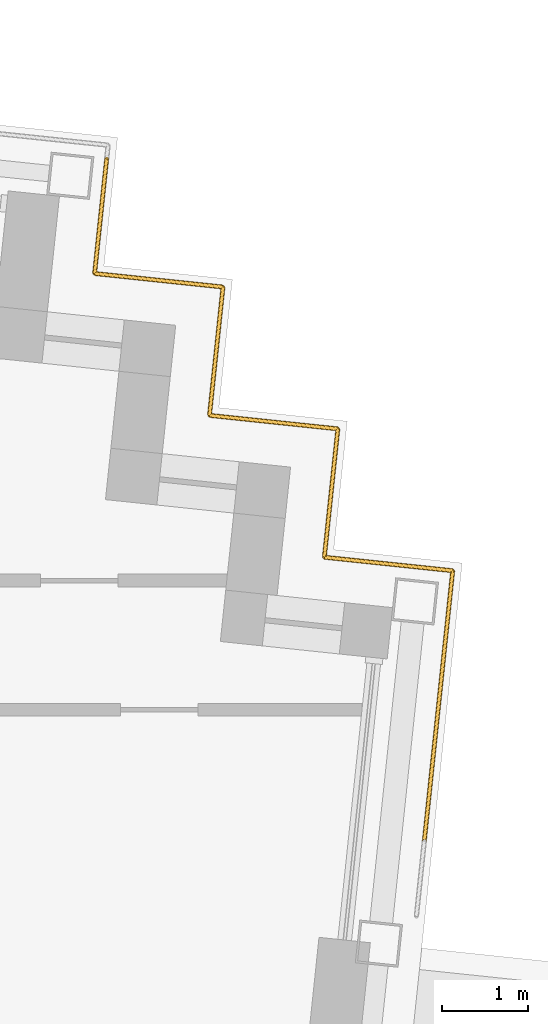
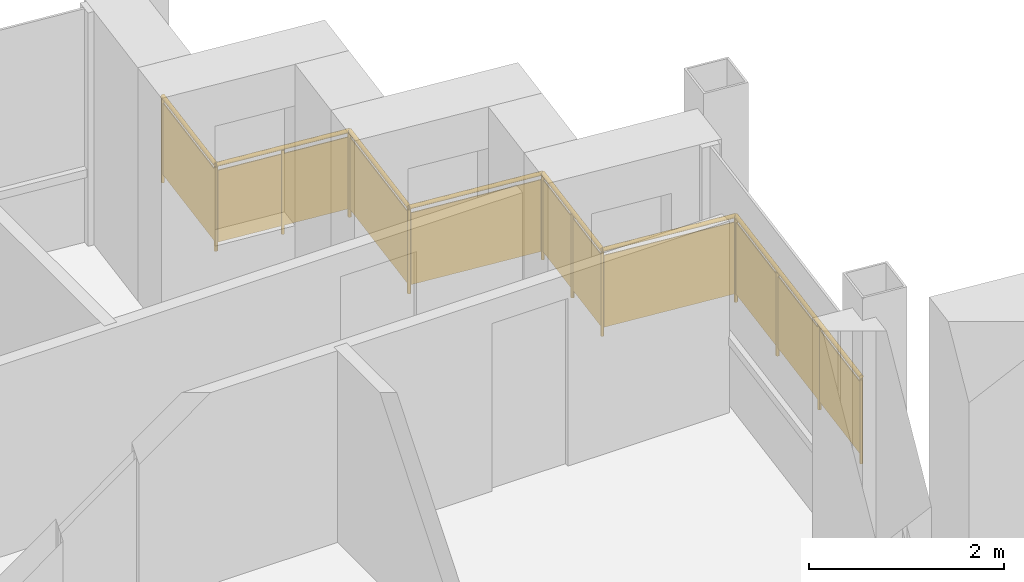
# One storey, part 17 of 17: 1 railing.
"""IFC4 building model written with IfcOpenShell, lengths in metres."""

from ifc_helpers import new_model, si_unit, direction, frame, origin, origin_2d, place, context, subcontext, project, spatial, rectangle, circle, extrude, material, type_object, element, save


model = new_model("IFC4")

# Units and contexts
model_context = context("Model", 3, precision=1e-05, world=origin(), true_north=direction((0.0, 1.0)))
body_context = subcontext(model_context, "Body", "Model", "MODEL_VIEW")
ifc_project = project(units=[si_unit("LENGTHUNIT", "METRE"), si_unit("AREAUNIT", "SQUARE_METRE"), si_unit("VOLUMEUNIT", "CUBIC_METRE"), si_unit("PLANEANGLEUNIT", "RADIAN"), si_unit("MASSUNIT", "GRAM", prefix="KILO")], contexts=[model_context])

# Site, building, storey
site_placement = place(None, origin())
site = spatial("IfcSite", under=ifc_project, at=site_placement, CompositionType="ELEMENT")
building_placement = place(site_placement, origin())
building = spatial("IfcBuilding", under=site, at=building_placement, Name="Vidyagriha Tower", CompositionType="ELEMENT")
storey_placement = place(building_placement, frame((0.0, 0.0, 262.699951171875)))
storey = spatial("IfcBuildingStorey", under=building, at=storey_placement, Name="L68", CompositionType="ELEMENT", Elevation=262.699951171875)

# Railing
ifc_material = material(Name="Steel ASTM A500 Grade C black painted", Category="steel")
railing_type = type_object("IfcRailingType", Name="Gallery guard 1100", PredefinedType="GUARDRAIL", material=ifc_material)
railing_placement = place(storey_placement, frame((29.24462890625, 18.54541015625, 0.0)))
element("IfcRailing", 1, at=railing_placement, inside=storey, type_object=railing_type, Name="Gallery guard L68 9", PredefinedType="GUARDRAIL", context=body_context, shape_type="SweptSolid", body=[
    extrude(circle(Radius=0.02490234375, at=origin_2d()), frame((0.0, 0.0, 1.0751953125), z_axis=(-0.104589933737, -0.994515432641, 0.0), x_axis=(0.994515432641, -0.104589933737, 0.0)), (0.0, 0.0, 1.0), 1.33984375),
    extrude(circle(Radius=0.02490234375, at=origin_2d()), frame((-0.14013671875, -1.33251953125, 1.0751953125), z_axis=(0.994509910675, -0.104642427191, 0.0), x_axis=(0.104642427191, 0.994509910675, 0.0)), (0.0, 0.0, 1.0), 1.500244140625),
    extrude(circle(Radius=0.02490234375, at=origin_2d()), frame((1.351806640625, -1.489501953125, 1.0751953125), z_axis=(-0.104498377516, -0.994525057048, 0.0), x_axis=(0.994525057048, -0.104498377516, 0.0)), (0.0, 0.0, 1.0), 1.5),
    extrude(circle(Radius=0.02490234375, at=origin_2d()), frame((1.195068359375, -2.981201171875, 1.0751953125), z_axis=(0.994525057048, -0.104498377516, 0.0), x_axis=(0.104498377516, 0.994525057048, 0.0)), (0.0, 0.0, 1.0), 1.5),
    extrude(circle(Radius=0.02490234375, at=origin_2d()), frame((2.686767578125, -3.137939453125, 1.0751953125), z_axis=(-0.104481464157, -0.994526834051, 0.0), x_axis=(0.994526834051, -0.104481464157, 0.0)), (0.0, 0.0, 1.0), 1.500244140625),
    extrude(circle(Radius=0.02490234375, at=origin_2d()), frame((2.530029296875, -4.6298828125, 1.0751953125), z_axis=(0.994525057048, -0.104498377516, 0.0), x_axis=(0.104498377516, 0.994525057048, 0.0)), (0.0, 0.0, 1.0), 1.5),
    extrude(circle(Radius=0.02490234375, at=origin_2d()), frame((4.021728515625, -4.78662109375, 1.0751953125), z_axis=(-0.104527942092, -0.994521950146, 0.0), x_axis=(0.994521950146, -0.104527942092, 0.0)), (0.0, 0.0, 1.0), 3.16015625),
    extrude(circle(Radius=0.02001953125, at=origin_2d()), origin(), (0.0, 0.0, 1.0), 1.050048828125),
    extrude(circle(Radius=0.02001953125, at=origin_2d()), frame((-0.14013671875, -1.33251953125, 0.0)), (0.0, 0.0, 1.0), 1.050048828125),
    extrude(circle(Radius=0.02001953125, at=origin_2d()), frame((0.60595703125, -1.4111328125, 0.0)), (0.0, 0.0, 1.0), 1.050048828125),
    extrude(circle(Radius=0.02001953125, at=origin_2d()), frame((1.351806640625, -1.489501953125, 0.0)), (0.0, 0.0, 1.0), 1.050048828125),
    extrude(circle(Radius=0.02001953125, at=origin_2d()), frame((1.195068359375, -2.981201171875, 0.0)), (0.0, 0.0, 1.0), 1.050048828125),
    extrude(circle(Radius=0.02001953125, at=origin_2d()), frame((2.686767578125, -3.137939453125, 0.0)), (0.0, 0.0, 1.0), 1.050048828125),
    extrude(circle(Radius=0.02001953125, at=origin_2d()), frame((2.6083984375, -3.8837890625, 0.0)), (0.0, 0.0, 1.0), 1.050048828125),
    extrude(circle(Radius=0.02001953125, at=origin_2d()), frame((2.530029296875, -4.6298828125, 0.0)), (0.0, 0.0, 1.0), 1.050048828125),
    extrude(circle(Radius=0.02001953125, at=origin_2d()), frame((4.021728515625, -4.78662109375, 0.0)), (0.0, 0.0, 1.0), 1.050048828125),
    extrude(circle(Radius=0.02001953125, at=origin_2d()), frame((3.91162109375, -5.834228515625, 0.0)), (0.0, 0.0, 1.0), 1.050048828125),
    extrude(circle(Radius=0.02001953125, at=origin_2d()), frame((3.801513671875, -6.8818359375, 0.0)), (0.0, 0.0, 1.0), 1.050048828125),
    extrude(circle(Radius=0.02001953125, at=origin_2d()), frame((3.69140625, -7.929443359375, 0.0)), (0.0, 0.0, 1.0), 1.050048828125),
    extrude(rectangle(XDim=0.010009765625, YDim=0.900146484375, at=origin_2d()), frame((0.0, 0.0, 0.550048828125), z_axis=(-0.104589933737, -0.994515432641, 0.0), x_axis=(0.994515432641, -0.104589933737, 0.0)), (0.0, 0.0, 1.0), 1.33984375),
    extrude(rectangle(XDim=0.010009765625, YDim=0.900146484375, at=origin_2d()), frame((-0.14013671875, -1.33251953125, 0.550048828125), z_axis=(0.994509910675, -0.104642427191, 0.0), x_axis=(0.104642427191, 0.994509910675, 0.0)), (0.0, 0.0, 1.0), 1.500244140625),
    extrude(rectangle(XDim=0.010009765625, YDim=0.900146484375, at=origin_2d()), frame((1.351806640625, -1.489501953125, 0.550048828125), z_axis=(-0.104498377516, -0.994525057048, 0.0), x_axis=(0.994525057048, -0.104498377516, 0.0)), (0.0, 0.0, 1.0), 1.5),
    extrude(rectangle(XDim=0.010009765625, YDim=0.900146484375, at=origin_2d()), frame((1.195068359375, -2.981201171875, 0.550048828125), z_axis=(0.994525057048, -0.104498377516, 0.0), x_axis=(0.104498377516, 0.994525057048, 0.0)), (0.0, 0.0, 1.0), 1.5),
    extrude(rectangle(XDim=0.010009765625, YDim=0.900146484375, at=origin_2d()), frame((2.686767578125, -3.137939453125, 0.550048828125), z_axis=(-0.104481464157, -0.994526834051, 0.0), x_axis=(0.994526834051, -0.104481464157, 0.0)), (0.0, 0.0, 1.0), 1.500244140625),
    extrude(rectangle(XDim=0.010009765625, YDim=0.900146484375, at=origin_2d()), frame((2.530029296875, -4.6298828125, 0.550048828125), z_axis=(0.994525057048, -0.104498377516, 0.0), x_axis=(0.104498377516, 0.994525057048, 0.0)), (0.0, 0.0, 1.0), 1.5),
    extrude(rectangle(XDim=0.010009765625, YDim=0.900146484375, at=origin_2d()), frame((4.021728515625, -4.78662109375, 0.550048828125), z_axis=(-0.104527942092, -0.994521950146, 0.0), x_axis=(0.994521950146, -0.104527942092, 0.0)), (0.0, 0.0, 1.0), 3.16015625),
])

save(model, "model.ifc")
